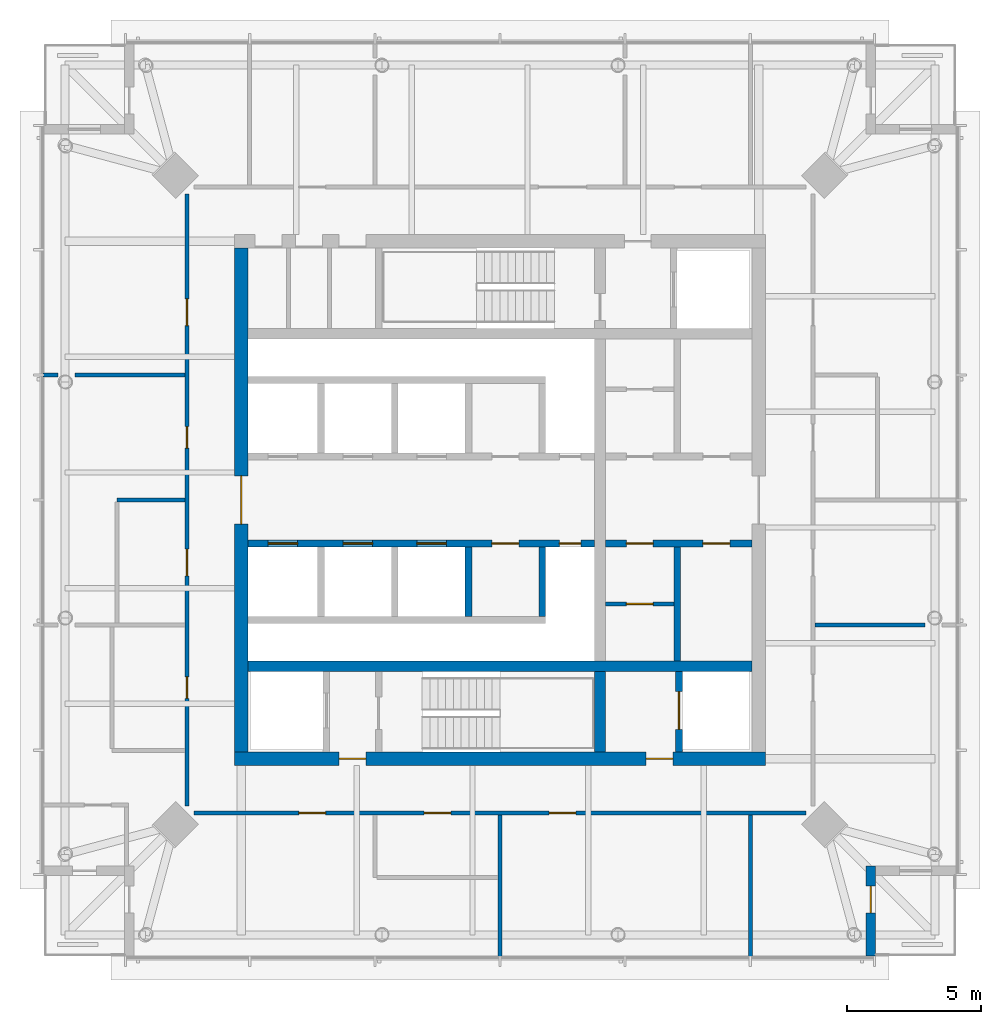
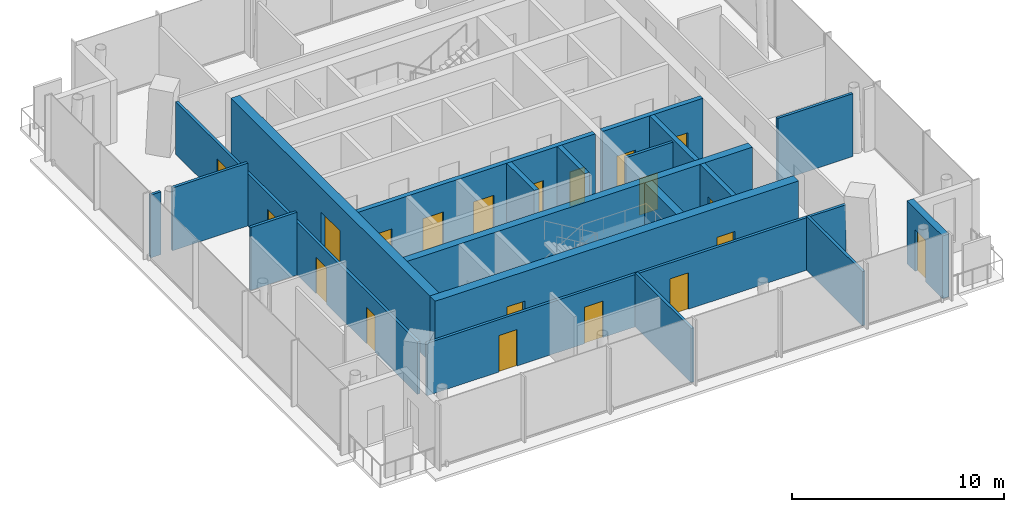
# One storey, part 4 of 9: 20 doors, 20 walls, 20 openings.
"""IFC4 building model written with IfcOpenShell, lengths in metres."""

from ifc_helpers import new_model, si_unit, direction, frame, frame_2d, origin, place, context, subcontext, project, spatial, rectangle, extrude, material, layer, layer_set, type_object, element, fill, save


model = new_model("IFC4")

# Units and contexts
model_context = context("Model", 3, precision=1e-05, world=origin(), true_north=direction((0.0, 1.0)))
body_context = subcontext(model_context, "Body", "Model", "MODEL_VIEW")
ifc_project = project(units=[si_unit("LENGTHUNIT", "METRE"), si_unit("AREAUNIT", "SQUARE_METRE"), si_unit("VOLUMEUNIT", "CUBIC_METRE"), si_unit("PLANEANGLEUNIT", "RADIAN"), si_unit("MASSUNIT", "GRAM", prefix="KILO")], contexts=[model_context])

# Site, building, storey
site_placement = place(None, origin())
site = spatial("IfcSite", under=ifc_project, at=site_placement, CompositionType="ELEMENT")
building_placement = place(site_placement, origin())
building = spatial("IfcBuilding", under=site, at=building_placement, Name="Ostroluk Exchange", CompositionType="ELEMENT")
storey_placement = place(building_placement, frame((0.0, 0.0, 264.199951171875)))
storey = spatial("IfcBuildingStorey", under=building, at=storey_placement, Name="L68", CompositionType="ELEMENT", Elevation=264.199951171875)

# Wall, opening, door
ifc_material_1 = material(Name="Concrete blockwork", Category="masonry")
ifc_layer_1 = layer(ifc_material_1, 0.14990234375)
ifc_layer_set_1 = layer_set([ifc_layer_1], Name="Blockwork plant room wall 150")
wall_type_1 = type_object("IfcWallType", Name="Blockwork plant room wall 150", PredefinedType="SOLIDWALL", material=ifc_layer_set_1)
wall_1_placement = place(storey_placement, frame((48.929931640625, 42.125, 0.0), z_axis=(0.0, 0.0, 1.0), x_axis=(1.0, 0.0, 0.0)))
wall_1 = element("IfcWall", 1, at=wall_1_placement, inside=storey, type_object=wall_type_1, Name="Core room wall", PredefinedType="SOLIDWALL", context=body_context, shape_type="SweptSolid", body=[
    extrude(rectangle(XDim=2.56005859375, YDim=0.14990234375, at=frame_2d((1.280029296875, 0.0))), origin(), (0.0, 0.0, 1.0), 3.6201171875),
])
opening_1_placement = place(wall_1_placement, frame((0.780029296875, 0.0, 0.0)))
opening_1 = element("IfcOpeningElement", 2, at=opening_1_placement, cuts=wall_1, Name="Opening FD60", PredefinedType="OPENING", context=body_context, shape_type="SweptSolid", body=[
    extrude(rectangle(XDim=1.0, YDim=2.10009765625, at=frame_2d((0.5, 1.050048828125))), frame((0.0, 0.0849609375, 0.0), z_axis=(0.0, -1.0, 0.0), x_axis=(1.0, 0.0, 0.0)), (0.0, 0.0, 1.0), 0.169921875),
])
ifc_material_2 = material(Name="Steel", Category="steel")
door_type_1 = type_object("IfcDoorType", Name="Fire door EI 60 1000 x 2100", OperationType="SINGLE_SWING_LEFT", PredefinedType="DOOR", material=ifc_material_2)
door_1_placement = place(opening_1_placement, origin())
door_1 = element("IfcDoor", 3, at=door_1_placement, inside=storey, type_object=door_type_1, Name="Stationery store door", OperationType="SINGLE_SWING_LEFT", OverallHeight=2.10009765625, OverallWidth=1.0, PredefinedType="DOOR", context=body_context, shape_type="SweptSolid", body=[
    extrude(rectangle(XDim=1.0, YDim=2.10009765625, at=frame_2d((0.5, 1.050048828125))), frame((0.0, 0.02490234375, 0.0), z_axis=(0.0, -1.0, 0.0), x_axis=(1.0, 0.0, 0.0)), (0.0, 0.0, 1.0), 0.050048828125),
])
fill(opening_1, door_1)

# Walls
ifc_material_3 = material(Name="Concrete C50/60", Category="concrete")
ifc_layer_2 = layer(ifc_material_3, 0.39990234375)
ifc_layer_set_2 = layer_set([ifc_layer_2], Name="Core cross wall 400 C50/60")
wall_type_2 = type_object("IfcWallType", Name="Core cross wall 400 C50/60", PredefinedType="SHEAR", material=ifc_layer_set_2)
wall_2_placement = place(storey_placement, frame((35.60009765625, 39.800048828125, 0.0), z_axis=(0.0, 0.0, 1.0), x_axis=(1.0, 0.0, 0.0)))
element("IfcWall", 4, at=wall_2_placement, inside=storey, type_object=wall_type_2, Name="T1 core wall XS", PredefinedType="SHEAR", context=body_context, shape_type="SweptSolid", body=[
    extrude(rectangle(XDim=18.7998046875, YDim=0.39990234375, at=frame_2d((9.39990234375, 0.0))), origin(), (0.0, 0.0, 1.0), 3.800048828125),
])
wall_3_placement = place(storey_placement, frame((48.72998046875, 36.60009765625, 0.0), z_axis=(0.0, 0.0, 1.0), x_axis=(0.0, 1.0, 0.0)))
element("IfcWall", 5, at=wall_3_placement, inside=storey, type_object=wall_type_2, Name="T1 core wall YE1", PredefinedType="SHEAR", context=body_context, shape_type="SweptSolid", body=[
    extrude(rectangle(XDim=3.0, YDim=0.39990234375, at=frame_2d((1.5, 0.0))), origin(), (0.0, 0.0, 1.0), 3.800048828125),
])

# Wall, opening, door
ifc_material_4 = material(Name="Concrete C40/50", Category="concrete")
ifc_layer_3 = layer(ifc_material_4, 0.25)
ifc_layer_set_3 = layer_set([ifc_layer_3], Name="Core shaft wall 250")
wall_type_3 = type_object("IfcWallType", Name="Core shaft wall 250", PredefinedType="SHEAR", material=ifc_layer_set_3)
wall_4_placement = place(storey_placement, frame((51.675048828125, 36.60009765625, 0.0), z_axis=(0.0, 0.0, 1.0), x_axis=(0.0, 1.0, 0.0)))
wall_4 = element("IfcWall", 6, at=wall_4_placement, inside=storey, type_object=wall_type_3, Name="Service lift shaft wall", PredefinedType="SHEAR", context=body_context, shape_type="SweptSolid", body=[
    extrude(rectangle(XDim=3.0, YDim=0.25, at=frame_2d((1.5, 0.0))), origin(), (0.0, 0.0, 1.0), 3.800048828125),
])
opening_2_placement = place(wall_4_placement, frame((0.85009765625, 0.0, 0.0)))
opening_2 = element("IfcOpeningElement", 7, at=opening_2_placement, cuts=wall_4, Name="Opening LD3", PredefinedType="OPENING", context=body_context, shape_type="SweptSolid", body=[
    extrude(rectangle(XDim=1.39990234375, YDim=2.39990234375, at=frame_2d((0.699951171875, 1.199951171875))), frame((0.0, 0.135009765625, 0.0), z_axis=(0.0, -1.0, 0.0), x_axis=(1.0, 0.0, 0.0)), (0.0, 0.0, 1.0), 0.27001953125),
])
ifc_material_5 = material(Name="Stainless steel", Category="steel")
door_type_2 = type_object("IfcDoorType", Name="Goods lift landing door E 60 1400 x 2400", OperationType="DOUBLE_DOOR_SLIDING", PredefinedType="DOOR", material=ifc_material_5)
door_2_placement = place(opening_2_placement, origin())
door_2 = element("IfcDoor", 8, at=door_2_placement, inside=storey, type_object=door_type_2, Name="Lift SL1 landing door", OperationType="DOUBLE_DOOR_SLIDING", OverallHeight=2.39990234375, OverallWidth=1.39990234375, PredefinedType="DOOR", context=body_context, shape_type="SweptSolid", body=[
    extrude(rectangle(XDim=1.39990234375, YDim=2.39990234375, at=frame_2d((0.699951171875, 1.199951171875))), frame((0.0, 0.02490234375, 0.0), z_axis=(0.0, -1.0, 0.0), x_axis=(1.0, 0.0, 0.0)), (0.0, 0.0, 1.0), 0.050048828125),
])
fill(opening_2, door_2)

# Walls
for number, where, z_axis, x_axis, name in (
    (9, (43.824951171875, 44.25, 0.0), (0.0, 0.0, 1.0), (0.0, -1.0, 0.0), "Lift shaft wall"),
    (10, (46.574951171875, 44.25, 0.0), (0.0, 0.0, 1.0), (0.0, -1.0, 0.0), "Lift shaft wall"),
):
    element("IfcWall", number, at=place(storey_placement, frame(where, z_axis=z_axis, x_axis=x_axis)), inside=storey, type_object=wall_type_3, Name=name, PredefinedType="SHEAR", context=body_context, shape_type="SweptSolid", body=[
        extrude(rectangle(XDim=2.60009765625, YDim=0.25, at=frame_2d((1.300048828125, 0.0))), origin(), (0.0, 0.0, 1.0), 3.800048828125),
    ])

# Wall, openings, doors
wall_5_placement = place(storey_placement, frame((35.60009765625, 44.375, 0.0), z_axis=(0.0, 0.0, 1.0), x_axis=(1.0, 0.0, 0.0)))
wall_5 = element("IfcWall", 11, at=wall_5_placement, inside=storey, type_object=wall_type_3, Name="Lift shaft front wall", PredefinedType="SHEAR", context=body_context, shape_type="SweptSolid", body=[
    extrude(rectangle(XDim=12.929931640625, YDim=0.25, at=frame_2d((6.46484375, 0.0))), origin(), (0.0, 0.0, 1.0), 3.800048828125),
])
opening_3_placement = place(wall_5_placement, frame((0.75, 0.0, 0.0)))
opening_3 = element("IfcOpeningElement", 12, at=opening_3_placement, cuts=wall_5, Name="Opening LD", PredefinedType="OPENING", context=body_context, shape_type="SweptSolid", body=[
    extrude(rectangle(XDim=1.10009765625, YDim=2.199951171875, at=frame_2d((0.550048828125, 1.10009765625))), frame((0.0, 0.135009765625, 0.0), z_axis=(0.0, -1.0, 0.0), x_axis=(1.0, 0.0, 0.0)), (0.0, 0.0, 1.0), 0.27001953125),
])
opening_4_placement = place(wall_5_placement, frame((3.550048828125, 0.0, 0.0)))
opening_4 = element("IfcOpeningElement", 13, at=opening_4_placement, cuts=wall_5, Name="Opening LD", PredefinedType="OPENING", context=body_context, shape_type="SweptSolid", body=[
    extrude(rectangle(XDim=1.10009765625, YDim=2.199951171875, at=frame_2d((0.550048828125, 1.10009765625))), frame((0.0, 0.135009765625, 0.0), z_axis=(0.0, -1.0, 0.0), x_axis=(1.0, 0.0, 0.0)), (0.0, 0.0, 1.0), 0.27001953125),
])
opening_5_placement = place(wall_5_placement, frame((6.300048828125, 0.0, 0.0)))
opening_5 = element("IfcOpeningElement", 14, at=opening_5_placement, cuts=wall_5, Name="Opening LD", PredefinedType="OPENING", context=body_context, shape_type="SweptSolid", body=[
    extrude(rectangle(XDim=1.10009765625, YDim=2.199951171875, at=frame_2d((0.550048828125, 1.10009765625))), frame((0.0, 0.135009765625, 0.0), z_axis=(0.0, -1.0, 0.0), x_axis=(1.0, 0.0, 0.0)), (0.0, 0.0, 1.0), 0.27001953125),
])
opening_6_placement = place(wall_5_placement, frame((9.10009765625, 0.0, 0.0)))
opening_6 = element("IfcOpeningElement", 15, at=opening_6_placement, cuts=wall_5, Name="Opening FD60", PredefinedType="OPENING", context=body_context, shape_type="SweptSolid", body=[
    extrude(rectangle(XDim=1.0, YDim=2.10009765625, at=frame_2d((0.5, 1.050048828125))), frame((0.0, 0.135009765625, 0.0), z_axis=(0.0, -1.0, 0.0), x_axis=(1.0, 0.0, 0.0)), (0.0, 0.0, 1.0), 0.27001953125),
])
opening_7_placement = place(wall_5_placement, frame((11.614990234375, 0.0, 0.0)))
opening_7 = element("IfcOpeningElement", 16, at=opening_7_placement, cuts=wall_5, Name="Opening RD60", PredefinedType="OPENING", context=body_context, shape_type="SweptSolid", body=[
    extrude(rectangle(XDim=0.800048828125, YDim=2.0, at=frame_2d((0.39990234375, 1.0))), frame((0.0, 0.135009765625, 0.0), z_axis=(0.0, -1.0, 0.0), x_axis=(1.0, 0.0, 0.0)), (0.0, 0.0, 1.0), 0.27001953125),
])
door_3_placement = place(opening_6_placement, origin())
door_3 = element("IfcDoor", 17, at=door_3_placement, inside=storey, type_object=door_type_1, Name="Core room door", OperationType="SINGLE_SWING_RIGHT", OverallHeight=2.10009765625, OverallWidth=1.0, PredefinedType="DOOR", context=body_context, shape_type="SweptSolid", body=[
    extrude(rectangle(XDim=1.0, YDim=2.10009765625, at=frame_2d((0.5, 1.050048828125))), frame((0.0, 0.02490234375, 0.0), z_axis=(0.0, -1.0, 0.0), x_axis=(1.0, 0.0, 0.0)), (0.0, 0.0, 1.0), 0.050048828125),
])
fill(opening_6, door_3)
ifc_material_6 = material(Name="Stainless steel", Category="steel")
door_type_3 = type_object("IfcDoorType", Name="Lift landing door E 60 1100 x 2200", OperationType="DOUBLE_DOOR_SLIDING", PredefinedType="DOOR", material=ifc_material_6)
door_4_placement = place(opening_3_placement, origin())
door_4 = element("IfcDoor", 18, at=door_4_placement, inside=storey, type_object=door_type_3, Name="Lift PL-T4 landing door", OperationType="DOUBLE_DOOR_SLIDING", OverallHeight=2.199951171875, OverallWidth=1.10009765625, PredefinedType="DOOR", context=body_context, shape_type="SweptSolid", body=[
    extrude(rectangle(XDim=1.10009765625, YDim=2.199951171875, at=frame_2d((0.550048828125, 1.10009765625))), frame((0.0, 0.02490234375, 0.0), z_axis=(0.0, -1.0, 0.0), x_axis=(1.0, 0.0, 0.0)), (0.0, 0.0, 1.0), 0.050048828125),
])
fill(opening_3, door_4)
door_5_placement = place(opening_4_placement, origin())
door_5 = element("IfcDoor", 19, at=door_5_placement, inside=storey, type_object=door_type_3, Name="Lift PL-T5 landing door", OperationType="DOUBLE_DOOR_SLIDING", OverallHeight=2.199951171875, OverallWidth=1.10009765625, PredefinedType="DOOR", context=body_context, shape_type="SweptSolid", body=[
    extrude(rectangle(XDim=1.10009765625, YDim=2.199951171875, at=frame_2d((0.550048828125, 1.10009765625))), frame((0.0, 0.02490234375, 0.0), z_axis=(0.0, -1.0, 0.0), x_axis=(1.0, 0.0, 0.0)), (0.0, 0.0, 1.0), 0.050048828125),
])
fill(opening_4, door_5)
door_6_placement = place(opening_5_placement, origin())
door_6 = element("IfcDoor", 20, at=door_6_placement, inside=storey, type_object=door_type_3, Name="Lift PL-T6 landing door", OperationType="DOUBLE_DOOR_SLIDING", OverallHeight=2.199951171875, OverallWidth=1.10009765625, PredefinedType="DOOR", context=body_context, shape_type="SweptSolid", body=[
    extrude(rectangle(XDim=1.10009765625, YDim=2.199951171875, at=frame_2d((0.550048828125, 1.10009765625))), frame((0.0, 0.02490234375, 0.0), z_axis=(0.0, -1.0, 0.0), x_axis=(1.0, 0.0, 0.0)), (0.0, 0.0, 1.0), 0.050048828125),
])
fill(opening_5, door_6)
ifc_material_7 = material(Name="Steel", Category="steel")
door_type_4 = type_object("IfcDoorType", Name="Riser access door EI 60 800 x 2000", OperationType="SINGLE_SWING_LEFT", PredefinedType="DOOR", material=ifc_material_7)
door_7_placement = place(opening_7_placement, origin())
door_7 = element("IfcDoor", 21, at=door_7_placement, inside=storey, type_object=door_type_4, Name="Riser access door", OperationType="SINGLE_SWING_RIGHT", OverallHeight=2.0, OverallWidth=0.800048828125, PredefinedType="DOOR", context=body_context, shape_type="SweptSolid", body=[
    extrude(rectangle(XDim=0.800048828125, YDim=2.0, at=frame_2d((0.39990234375, 1.0))), frame((0.0, 0.02490234375, 0.0), z_axis=(0.0, -1.0, 0.0), x_axis=(1.0, 0.0, 0.0)), (0.0, 0.0, 1.0), 0.050048828125),
])
fill(opening_7, door_7)

# Wall
wall_6_placement = place(storey_placement, frame((51.614990234375, 44.25, 0.0), z_axis=(0.0, 0.0, 1.0), x_axis=(0.0, -1.0, 0.0)))
element("IfcWall", 22, at=wall_6_placement, inside=storey, type_object=wall_type_3, Name="Lift shaft wall", PredefinedType="SHEAR", context=body_context, shape_type="SweptSolid", body=[
    extrude(rectangle(XDim=4.25, YDim=0.25, at=frame_2d((2.125, 0.0))), origin(), (0.0, 0.0, 1.0), 3.800048828125),
])

# Wall, openings, doors
wall_7_placement = place(storey_placement, frame((48.929931640625, 44.375, 0.0), z_axis=(0.0, 0.0, 1.0), x_axis=(1.0, 0.0, 0.0)))
wall_7 = element("IfcWall", 23, at=wall_7_placement, inside=storey, type_object=wall_type_3, Name="Lift shaft front wall", PredefinedType="SHEAR", context=body_context, shape_type="SweptSolid", body=[
    extrude(rectangle(XDim=5.469970703125, YDim=0.25, at=frame_2d((2.73486328125, 0.0))), origin(), (0.0, 0.0, 1.0), 3.800048828125),
])
opening_8_placement = place(wall_7_placement, frame((0.780029296875, 0.0, 0.0)))
opening_8 = element("IfcOpeningElement", 24, at=opening_8_placement, cuts=wall_7, Name="Opening FD60", PredefinedType="OPENING", context=body_context, shape_type="SweptSolid", body=[
    extrude(rectangle(XDim=1.0, YDim=2.10009765625, at=frame_2d((0.5, 1.050048828125))), frame((0.0, 0.135009765625, 0.0), z_axis=(0.0, -1.0, 0.0), x_axis=(1.0, 0.0, 0.0)), (0.0, 0.0, 1.0), 0.27001953125),
])
opening_9_placement = place(wall_7_placement, frame((3.639892578125, 0.0, 0.0)))
opening_9 = element("IfcOpeningElement", 25, at=opening_9_placement, cuts=wall_7, Name="Opening FD60", PredefinedType="OPENING", context=body_context, shape_type="SweptSolid", body=[
    extrude(rectangle(XDim=1.0, YDim=2.10009765625, at=frame_2d((0.5, 1.050048828125))), frame((0.0, 0.135009765625, 0.0), z_axis=(0.0, -1.0, 0.0), x_axis=(1.0, 0.0, 0.0)), (0.0, 0.0, 1.0), 0.27001953125),
])
door_8_placement = place(opening_8_placement, origin())
door_8 = element("IfcDoor", 26, at=door_8_placement, inside=storey, type_object=door_type_1, Name="Core room door", OperationType="SINGLE_SWING_LEFT", OverallHeight=2.10009765625, OverallWidth=1.0, PredefinedType="DOOR", context=body_context, shape_type="SweptSolid", body=[
    extrude(rectangle(XDim=1.0, YDim=2.10009765625, at=frame_2d((0.5, 1.050048828125))), frame((0.0, 0.02490234375, 0.0), z_axis=(0.0, -1.0, 0.0), x_axis=(1.0, 0.0, 0.0)), (0.0, 0.0, 1.0), 0.050048828125),
])
fill(opening_8, door_8)
door_9_placement = place(opening_9_placement, origin())
door_9 = element("IfcDoor", 27, at=door_9_placement, inside=storey, type_object=door_type_1, Name="Core room door", OperationType="SINGLE_SWING_RIGHT", OverallHeight=2.10009765625, OverallWidth=1.0, PredefinedType="DOOR", context=body_context, shape_type="SweptSolid", body=[
    extrude(rectangle(XDim=1.0, YDim=2.10009765625, at=frame_2d((0.5, 1.050048828125))), frame((0.0, 0.02490234375, 0.0), z_axis=(0.0, -1.0, 0.0), x_axis=(1.0, 0.0, 0.0)), (0.0, 0.0, 1.0), 0.050048828125),
])
fill(opening_9, door_9)

ifc_material_8 = material(Name="Concrete C50/60", Category="concrete")
ifc_layer_4 = layer(ifc_material_8, 0.5)
ifc_layer_set_4 = layer_set([ifc_layer_4], Name="Core wall 500 C50/60")
wall_type_4 = type_object("IfcWallType", Name="Core wall 500 C50/60", PredefinedType="SHEAR", material=ifc_layer_set_4)
wall_8_placement = place(storey_placement, frame((35.10009765625, 36.35009765625, 0.0), z_axis=(0.0, 0.0, 1.0), x_axis=(1.0, 0.0, 0.0)))
wall_8 = element("IfcWall", 28, at=wall_8_placement, inside=storey, type_object=wall_type_4, Name="T1 core wall S", PredefinedType="SHEAR", context=body_context, shape_type="SweptSolid", body=[
    extrude(rectangle(XDim=19.7998046875, YDim=0.5, at=frame_2d((9.89990234375, 0.0))), origin(), (0.0, 0.0, 1.0), 3.800048828125),
])
opening_10_placement = place(wall_8_placement, frame((3.89990234375, 0.0, 0.0)))
opening_10 = element("IfcOpeningElement", 29, at=opening_10_placement, cuts=wall_8, Name="Opening FD60", PredefinedType="OPENING", context=body_context, shape_type="SweptSolid", body=[
    extrude(rectangle(XDim=1.0, YDim=2.10009765625, at=frame_2d((0.5, 1.050048828125))), frame((0.0, 0.260009765625, 0.0), z_axis=(0.0, -1.0, 0.0), x_axis=(1.0, 0.0, 0.0)), (0.0, 0.0, 1.0), 0.52001953125),
])
opening_11_placement = place(wall_8_placement, frame((15.35009765625, 0.0, 0.0)))
opening_11 = element("IfcOpeningElement", 30, at=opening_11_placement, cuts=wall_8, Name="Opening FD60", PredefinedType="OPENING", context=body_context, shape_type="SweptSolid", body=[
    extrude(rectangle(XDim=1.0, YDim=2.10009765625, at=frame_2d((0.5, 1.050048828125))), frame((0.0, 0.260009765625, 0.0), z_axis=(0.0, -1.0, 0.0), x_axis=(1.0, 0.0, 0.0)), (0.0, 0.0, 1.0), 0.52001953125),
])
door_10_placement = place(opening_10_placement, origin())
door_10 = element("IfcDoor", 31, at=door_10_placement, inside=storey, type_object=door_type_1, Name="Firefighting lobby door", OperationType="SINGLE_SWING_LEFT", OverallHeight=2.10009765625, OverallWidth=1.0, PredefinedType="DOOR", context=body_context, shape_type="SweptSolid", body=[
    extrude(rectangle(XDim=1.0, YDim=2.10009765625, at=frame_2d((0.5, 1.050048828125))), frame((0.0, 0.02490234375, 0.0), z_axis=(0.0, -1.0, 0.0), x_axis=(1.0, 0.0, 0.0)), (0.0, 0.0, 1.0), 0.050048828125),
])
fill(opening_10, door_10)
door_11_placement = place(opening_11_placement, origin())
door_11 = element("IfcDoor", 32, at=door_11_placement, inside=storey, type_object=door_type_1, Name="Service lobby door", OperationType="SINGLE_SWING_RIGHT", OverallHeight=2.10009765625, OverallWidth=1.0, PredefinedType="DOOR", context=body_context, shape_type="SweptSolid", body=[
    extrude(rectangle(XDim=1.0, YDim=2.10009765625, at=frame_2d((0.5, 1.050048828125))), frame((0.0, 0.02490234375, 0.0), z_axis=(0.0, -1.0, 0.0), x_axis=(1.0, 0.0, 0.0)), (0.0, 0.0, 1.0), 0.050048828125),
])
fill(opening_11, door_11)

# Wall, opening, door
wall_9_placement = place(storey_placement, frame((35.35009765625, 36.60009765625, 0.0), z_axis=(0.0, 0.0, 1.0), x_axis=(0.0, 1.0, 0.0)))
wall_9 = element("IfcWall", 33, at=wall_9_placement, inside=storey, type_object=wall_type_4, Name="T1 core wall W", PredefinedType="SHEAR", context=body_context, shape_type="SweptSolid", body=[
    extrude(rectangle(XDim=18.7998046875, YDim=0.5, at=frame_2d((9.39990234375, 0.0))), origin(), (0.0, 0.0, 1.0), 3.800048828125),
])
opening_12_placement = place(wall_9_placement, frame((8.5, 0.0, 0.0)))
opening_12 = element("IfcOpeningElement", 34, at=opening_12_placement, cuts=wall_9, Name="Opening FD30D", PredefinedType="OPENING", context=body_context, shape_type="SweptSolid", body=[
    extrude(rectangle(XDim=1.800048828125, YDim=2.39990234375, at=frame_2d((0.89990234375, 1.199951171875))), frame((0.0, 0.260009765625, 0.0), z_axis=(0.0, -1.0, 0.0), x_axis=(1.0, 0.0, 0.0)), (0.0, 0.0, 1.0), 0.52001953125),
])
ifc_material_9 = material(Name="Timber", Category="wood")
door_type_5 = type_object("IfcDoorType", Name="Lobby double door EI 30 1800 x 2400", OperationType="DOUBLE_DOOR_SINGLE_SWING", PredefinedType="DOOR", material=ifc_material_9)
door_12_placement = place(opening_12_placement, origin())
door_12 = element("IfcDoor", 35, at=door_12_placement, inside=storey, type_object=door_type_5, Name="Lift lobby doors", OperationType="DOUBLE_DOOR_SINGLE_SWING", OverallHeight=2.39990234375, OverallWidth=1.800048828125, PredefinedType="DOOR", context=body_context, shape_type="SweptSolid", body=[
    extrude(rectangle(XDim=1.800048828125, YDim=2.39990234375, at=frame_2d((0.89990234375, 1.199951171875))), frame((0.0, 0.02490234375, 0.0), z_axis=(0.0, -1.0, 0.0), x_axis=(1.0, 0.0, 0.0)), (0.0, 0.0, 1.0), 0.050048828125),
])
fill(opening_12, door_12)

ifc_material_10 = material(Name="Limestone", Category="masonry")
ifc_layer_5 = layer(ifc_material_10, 0.35009765625)
ifc_layer_set_5 = layer_set([ifc_layer_5], Name="Limestone facade wall 350")
wall_type_5 = type_object("IfcWallType", Name="Limestone facade wall 350", PredefinedType="SOLIDWALL", material=ifc_layer_set_5)
wall_10_placement = place(storey_placement, frame((58.824951171875, 29.0, 0.0), z_axis=(0.0, 0.0, 1.0), x_axis=(0.0, 1.0, 0.0)))
wall_10 = element("IfcWall", 36, at=wall_10_placement, inside=storey, type_object=wall_type_5, Name="Office tower SE corner wall L68 a", PredefinedType="SOLIDWALL", context=body_context, shape_type="SweptSolid", body=[
    extrude(rectangle(XDim=3.35009765625, YDim=0.35009765625, at=frame_2d((1.675048828125, 0.0))), origin(), (0.0, 0.0, 1.0), 3.6201171875),
])
opening_13_placement = place(wall_10_placement, frame((1.60009765625, 0.0, 0.0)))
opening_13 = element("IfcOpeningElement", 37, at=opening_13_placement, cuts=wall_10, Name="Opening D-B1", PredefinedType="OPENING", context=body_context, shape_type="SweptSolid", body=[
    extrude(rectangle(XDim=1.0, YDim=2.39990234375, at=frame_2d((0.5, 1.199951171875))), frame((0.0, 0.18505859375, 0.0), z_axis=(0.0, -1.0, 0.0), x_axis=(1.0, 0.0, 0.0)), (0.0, 0.0, 1.0), 0.3701171875),
])
ifc_material_11 = material(Name="Bronze framed glazed door", Category="aluminium")
door_type_6 = type_object("IfcDoorType", Name="Balcony door 1000 x 2400", OperationType="SINGLE_SWING_LEFT", PredefinedType="DOOR", material=ifc_material_11)
door_13_placement = place(opening_13_placement, origin())
door_13 = element("IfcDoor", 38, at=door_13_placement, inside=storey, type_object=door_type_6, Name="Office tower SE balcony door L68", OperationType="SINGLE_SWING_RIGHT", OverallHeight=2.39990234375, OverallWidth=1.0, PredefinedType="DOOR", context=body_context, shape_type="SweptSolid", body=[
    extrude(rectangle(XDim=1.0, YDim=2.39990234375, at=frame_2d((0.5, 1.199951171875))), frame((0.0, 0.02490234375, 0.0), z_axis=(0.0, -1.0, 0.0), x_axis=(1.0, 0.0, 0.0)), (0.0, 0.0, 1.0), 0.050048828125),
])
fill(opening_13, door_13)

# Wall
ifc_material_12 = material(Name="Gypsum plasterboard partition", Category="gypsum")
ifc_layer_6 = layer(ifc_material_12, 0.14990234375)
ifc_layer_set_6 = layer_set([ifc_layer_6], Name="Plasterboard partition 150")
wall_type_6 = type_object("IfcWallType", Name="Plasterboard partition 150", PredefinedType="PARTITIONING", material=ifc_layer_set_6)
wall_11_placement = place(storey_placement, frame((56.75, 41.333251953125, 0.0), z_axis=(0.0, 0.0, 1.0), x_axis=(1.0, 0.0, 0.0)))
element("IfcWall", 39, at=wall_11_placement, inside=storey, type_object=wall_type_6, Name="Partition", PredefinedType="PARTITIONING", context=body_context, shape_type="SweptSolid", body=[
    extrude(rectangle(XDim=4.10302734375, YDim=0.14990234375, at=frame_2d((2.051513671875, 0.0))), origin(), (0.0, 0.0, 1.0), 3.6201171875),
])

# Wall, openings, doors
wall_12_placement = place(storey_placement, frame((33.324951171875, 57.415771484375, 0.0), z_axis=(0.0, 0.0, 1.0), x_axis=(0.0, -1.0, 0.0)))
wall_12 = element("IfcWall", 40, at=wall_12_placement, inside=storey, type_object=wall_type_6, Name="Partition", PredefinedType="PARTITIONING", context=body_context, shape_type="SweptSolid", body=[
    extrude(rectangle(XDim=22.83154296875, YDim=0.14990234375, at=frame_2d((11.415771484375, 0.0))), origin(), (0.0, 0.0, 1.0), 3.02001953125),
])
opening_14_placement = place(wall_12_placement, frame((3.915771484375, 0.0, 0.0)))
opening_14 = element("IfcOpeningElement", 41, at=opening_14_placement, cuts=wall_12, Name="Opening D-03", PredefinedType="OPENING", context=body_context, shape_type="SweptSolid", body=[
    extrude(rectangle(XDim=1.0, YDim=2.10009765625, at=frame_2d((0.5, 1.050048828125))), frame((0.0, 0.0849609375, 0.0), z_axis=(0.0, -1.0, 0.0), x_axis=(1.0, 0.0, 0.0)), (0.0, 0.0, 1.0), 0.169921875),
])
opening_15_placement = place(wall_12_placement, frame((8.682373046875, 0.0, 0.0)))
opening_15 = element("IfcOpeningElement", 42, at=opening_15_placement, cuts=wall_12, Name="Opening D-06", PredefinedType="OPENING", context=body_context, shape_type="SweptSolid", body=[
    extrude(rectangle(XDim=0.800048828125, YDim=2.10009765625, at=frame_2d((0.39990234375, 1.050048828125))), frame((0.0, 0.0849609375, 0.0), z_axis=(0.0, -1.0, 0.0), x_axis=(1.0, 0.0, 0.0)), (0.0, 0.0, 1.0), 0.169921875),
])
opening_16_placement = place(wall_12_placement, frame((13.2490234375, 0.0, 0.0)))
opening_16 = element("IfcOpeningElement", 43, at=opening_16_placement, cuts=wall_12, Name="Opening D-03", PredefinedType="OPENING", context=body_context, shape_type="SweptSolid", body=[
    extrude(rectangle(XDim=1.0, YDim=2.10009765625, at=frame_2d((0.5, 1.050048828125))), frame((0.0, 0.0849609375, 0.0), z_axis=(0.0, -1.0, 0.0), x_axis=(1.0, 0.0, 0.0)), (0.0, 0.0, 1.0), 0.169921875),
])
opening_17_placement = place(wall_12_placement, frame((18.015869140625, 0.0, 0.0)))
opening_17 = element("IfcOpeningElement", 44, at=opening_17_placement, cuts=wall_12, Name="Opening D-06", PredefinedType="OPENING", context=body_context, shape_type="SweptSolid", body=[
    extrude(rectangle(XDim=0.800048828125, YDim=2.10009765625, at=frame_2d((0.39990234375, 1.050048828125))), frame((0.0, 0.0849609375, 0.0), z_axis=(0.0, -1.0, 0.0), x_axis=(1.0, 0.0, 0.0)), (0.0, 0.0, 1.0), 0.169921875),
])
ifc_material_13 = material(Name="Timber", Category="wood")
door_type_7 = type_object("IfcDoorType", Name="Internal door 1000 x 2100", OperationType="SINGLE_SWING_LEFT", PredefinedType="DOOR", material=ifc_material_13)
door_14_placement = place(opening_14_placement, origin())
door_14 = element("IfcDoor", 45, at=door_14_placement, inside=storey, type_object=door_type_7, Name="Corner office door", OperationType="SINGLE_SWING_LEFT", OverallHeight=2.10009765625, OverallWidth=1.0, PredefinedType="DOOR", context=body_context, shape_type="SweptSolid", body=[
    extrude(rectangle(XDim=1.0, YDim=2.10009765625, at=frame_2d((0.5, 1.050048828125))), frame((0.0, 0.02490234375, 0.0), z_axis=(0.0, -1.0, 0.0), x_axis=(1.0, 0.0, 0.0)), (0.0, 0.0, 1.0), 0.050048828125),
])
fill(opening_14, door_14)
door_15_placement = place(opening_16_placement, origin())
door_15 = element("IfcDoor", 46, at=door_15_placement, inside=storey, type_object=door_type_7, Name="Accessible WC door", OperationType="SINGLE_SWING_RIGHT", OverallHeight=2.10009765625, OverallWidth=1.0, PredefinedType="DOOR", context=body_context, shape_type="SweptSolid", body=[
    extrude(rectangle(XDim=1.0, YDim=2.10009765625, at=frame_2d((0.5, 1.050048828125))), frame((0.0, 0.02490234375, 0.0), z_axis=(0.0, -1.0, 0.0), x_axis=(1.0, 0.0, 0.0)), (0.0, 0.0, 1.0), 0.050048828125),
])
fill(opening_16, door_15)
ifc_material_14 = material(Name="Timber", Category="wood")
door_type_8 = type_object("IfcDoorType", Name="Toilet door 800 x 2100", OperationType="SINGLE_SWING_LEFT", PredefinedType="DOOR", material=ifc_material_14)
door_16_placement = place(opening_15_placement, origin())
door_16 = element("IfcDoor", 47, at=door_16_placement, inside=storey, type_object=door_type_8, Name="WC female door", OperationType="SINGLE_SWING_LEFT", OverallHeight=2.10009765625, OverallWidth=0.800048828125, PredefinedType="DOOR", context=body_context, shape_type="SweptSolid", body=[
    extrude(rectangle(XDim=0.800048828125, YDim=2.10009765625, at=frame_2d((0.39990234375, 1.050048828125))), frame((0.0, 0.02490234375, 0.0), z_axis=(0.0, -1.0, 0.0), x_axis=(1.0, 0.0, 0.0)), (0.0, 0.0, 1.0), 0.050048828125),
])
fill(opening_15, door_16)
door_17_placement = place(opening_17_placement, origin())
door_17 = element("IfcDoor", 48, at=door_17_placement, inside=storey, type_object=door_type_8, Name="WC male door", OperationType="SINGLE_SWING_RIGHT", OverallHeight=2.10009765625, OverallWidth=0.800048828125, PredefinedType="DOOR", context=body_context, shape_type="SweptSolid", body=[
    extrude(rectangle(XDim=0.800048828125, YDim=2.10009765625, at=frame_2d((0.39990234375, 1.050048828125))), frame((0.0, 0.02490234375, 0.0), z_axis=(0.0, -1.0, 0.0), x_axis=(1.0, 0.0, 0.0)), (0.0, 0.0, 1.0), 0.050048828125),
])
fill(opening_17, door_17)

# Walls
wall_13_placement = place(storey_placement, frame((33.25, 50.666748046875, 0.0), z_axis=(0.0, 0.0, 1.0), x_axis=(-1.0, 0.0, 0.0)))
element("IfcWall", 49, at=wall_13_placement, inside=storey, type_object=wall_type_6, Name="Partition", PredefinedType="PARTITIONING", context=body_context, shape_type="SweptSolid", body=[
    extrude(rectangle(XDim=4.10302734375, YDim=0.14990234375, at=frame_2d((2.051513671875, 0.0))), origin(), (0.0, 0.0, 1.0), 3.6201171875),
])
wall_14_placement = place(storey_placement, frame((28.517333984375, 50.666748046875, 0.0), z_axis=(0.0, 0.0, 1.0), x_axis=(-1.0, 0.0, 0.0)))
element("IfcWall", 50, at=wall_14_placement, inside=storey, type_object=wall_type_6, Name="Partition", PredefinedType="PARTITIONING", context=body_context, shape_type="SweptSolid", body=[
    extrude(rectangle(XDim=0.557373046875, YDim=0.14990234375, at=frame_2d((0.27880859375, 0.0))), origin(), (0.0, 0.0, 1.0), 3.6201171875),
])
wall_15_placement = place(storey_placement, frame((33.25, 46.0, 0.0), z_axis=(0.0, 0.0, 1.0), x_axis=(-1.0, 0.0, 0.0)))
element("IfcWall", 51, at=wall_15_placement, inside=storey, type_object=wall_type_6, Name="Partition", PredefinedType="PARTITIONING", context=body_context, shape_type="SweptSolid", body=[
    extrude(rectangle(XDim=2.52490234375, YDim=0.14990234375, at=frame_2d((1.262451171875, 0.0))), origin(), (0.0, 0.0, 1.0), 3.6201171875),
])

# Wall, openings, doors
wall_16_placement = place(storey_placement, frame((33.584228515625, 34.324951171875, 0.0), z_axis=(0.0, 0.0, 1.0), x_axis=(1.0, 0.0, 0.0)))
wall_16 = element("IfcWall", 52, at=wall_16_placement, inside=storey, type_object=wall_type_6, Name="Partition", PredefinedType="PARTITIONING", context=body_context, shape_type="SweptSolid", body=[
    extrude(rectangle(XDim=22.83154296875, YDim=0.14990234375, at=frame_2d((11.415771484375, 0.0))), origin(), (0.0, 0.0, 1.0), 3.02001953125),
])
opening_18_placement = place(wall_16_placement, frame((3.915771484375, 0.0, 0.0)))
opening_18 = element("IfcOpeningElement", 53, at=opening_18_placement, cuts=wall_16, Name="Opening D-03", PredefinedType="OPENING", context=body_context, shape_type="SweptSolid", body=[
    extrude(rectangle(XDim=1.0, YDim=2.10009765625, at=frame_2d((0.5, 1.050048828125))), frame((0.0, 0.0849609375, 0.0), z_axis=(0.0, -1.0, 0.0), x_axis=(1.0, 0.0, 0.0)), (0.0, 0.0, 1.0), 0.169921875),
])
opening_19_placement = place(wall_16_placement, frame((8.58251953125, 0.0, 0.0)))
opening_19 = element("IfcOpeningElement", 54, at=opening_19_placement, cuts=wall_16, Name="Opening D-03", PredefinedType="OPENING", context=body_context, shape_type="SweptSolid", body=[
    extrude(rectangle(XDim=1.0, YDim=2.10009765625, at=frame_2d((0.5, 1.050048828125))), frame((0.0, 0.0849609375, 0.0), z_axis=(0.0, -1.0, 0.0), x_axis=(1.0, 0.0, 0.0)), (0.0, 0.0, 1.0), 0.169921875),
])
opening_20_placement = place(wall_16_placement, frame((13.2490234375, 0.0, 0.0)))
opening_20 = element("IfcOpeningElement", 55, at=opening_20_placement, cuts=wall_16, Name="Opening D-03", PredefinedType="OPENING", context=body_context, shape_type="SweptSolid", body=[
    extrude(rectangle(XDim=1.0, YDim=2.10009765625, at=frame_2d((0.5, 1.050048828125))), frame((0.0, 0.0849609375, 0.0), z_axis=(0.0, -1.0, 0.0), x_axis=(1.0, 0.0, 0.0)), (0.0, 0.0, 1.0), 0.169921875),
])
door_18_placement = place(opening_18_placement, origin())
door_18 = element("IfcDoor", 56, at=door_18_placement, inside=storey, type_object=door_type_7, Name="Corner office door", OperationType="SINGLE_SWING_LEFT", OverallHeight=2.10009765625, OverallWidth=1.0, PredefinedType="DOOR", context=body_context, shape_type="SweptSolid", body=[
    extrude(rectangle(XDim=1.0, YDim=2.10009765625, at=frame_2d((0.5, 1.050048828125))), frame((0.0, 0.02490234375, 0.0), z_axis=(0.0, -1.0, 0.0), x_axis=(1.0, 0.0, 0.0)), (0.0, 0.0, 1.0), 0.050048828125),
])
fill(opening_18, door_18)
door_19_placement = place(opening_19_placement, origin())
door_19 = element("IfcDoor", 57, at=door_19_placement, inside=storey, type_object=door_type_7, Name="Print and store room door", OperationType="SINGLE_SWING_LEFT", OverallHeight=2.10009765625, OverallWidth=1.0, PredefinedType="DOOR", context=body_context, shape_type="SweptSolid", body=[
    extrude(rectangle(XDim=1.0, YDim=2.10009765625, at=frame_2d((0.5, 1.050048828125))), frame((0.0, 0.02490234375, 0.0), z_axis=(0.0, -1.0, 0.0), x_axis=(1.0, 0.0, 0.0)), (0.0, 0.0, 1.0), 0.050048828125),
])
fill(opening_19, door_19)
door_20_placement = place(opening_20_placement, origin())
door_20 = element("IfcDoor", 58, at=door_20_placement, inside=storey, type_object=door_type_7, Name="Office door", OperationType="SINGLE_SWING_RIGHT", OverallHeight=2.10009765625, OverallWidth=1.0, PredefinedType="DOOR", context=body_context, shape_type="SweptSolid", body=[
    extrude(rectangle(XDim=1.0, YDim=2.10009765625, at=frame_2d((0.5, 1.050048828125))), frame((0.0, 0.02490234375, 0.0), z_axis=(0.0, -1.0, 0.0), x_axis=(1.0, 0.0, 0.0)), (0.0, 0.0, 1.0), 0.050048828125),
])
fill(opening_20, door_20)

# Walls
for number, where, z_axis, x_axis, name in (
    (59, (45.0, 34.25, 0.0), (0.0, 0.0, 1.0), (0.0, -1.0, 0.0), "Partition"),
    (60, (54.333251953125, 34.25, 0.0), (0.0, 0.0, 1.0), (0.0, -1.0, 0.0), "Partition"),
):
    element("IfcWall", number, at=place(storey_placement, frame(where, z_axis=z_axis, x_axis=x_axis)), inside=storey, type_object=wall_type_6, Name=name, PredefinedType="PARTITIONING", context=body_context, shape_type="SweptSolid", body=[
        extrude(rectangle(XDim=5.2900390625, YDim=0.14990234375, at=frame_2d((2.64501953125, 0.0))), origin(), (0.0, 0.0, 1.0), 3.1201171875),
    ])

save(model, "model.ifc")
